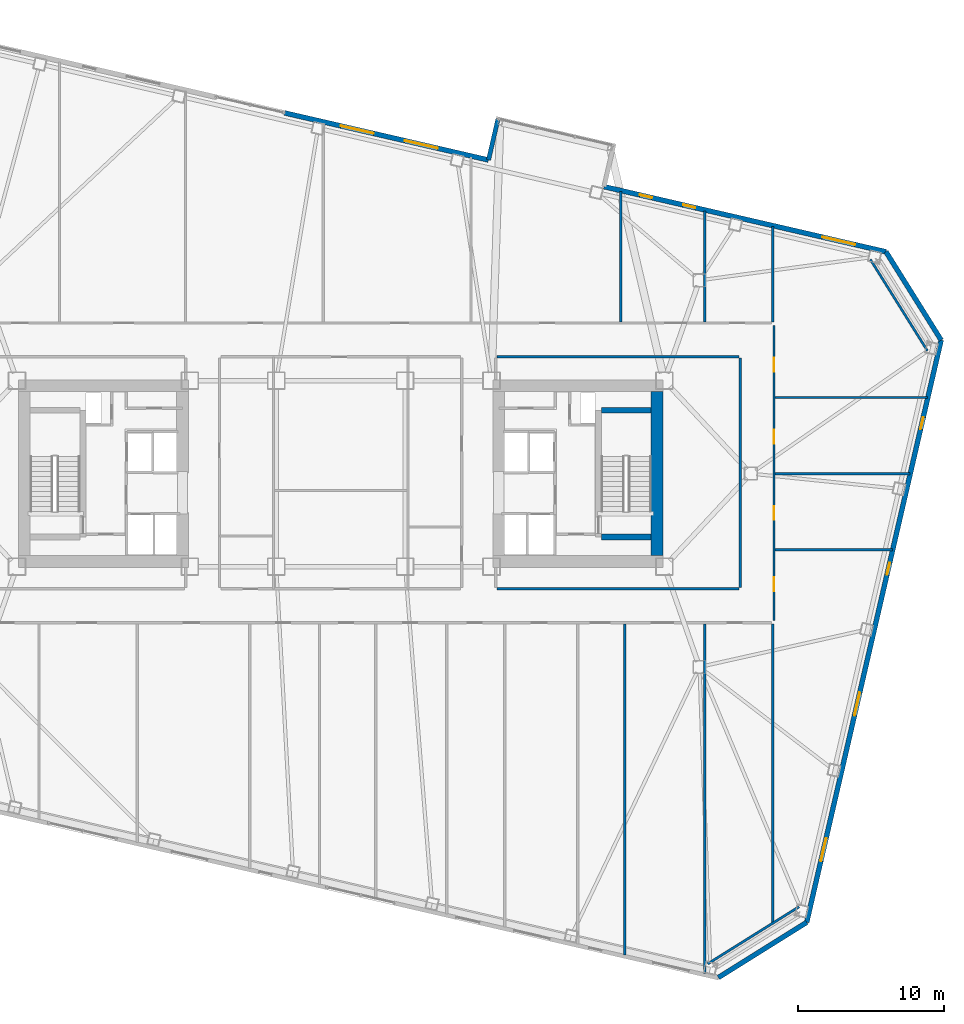
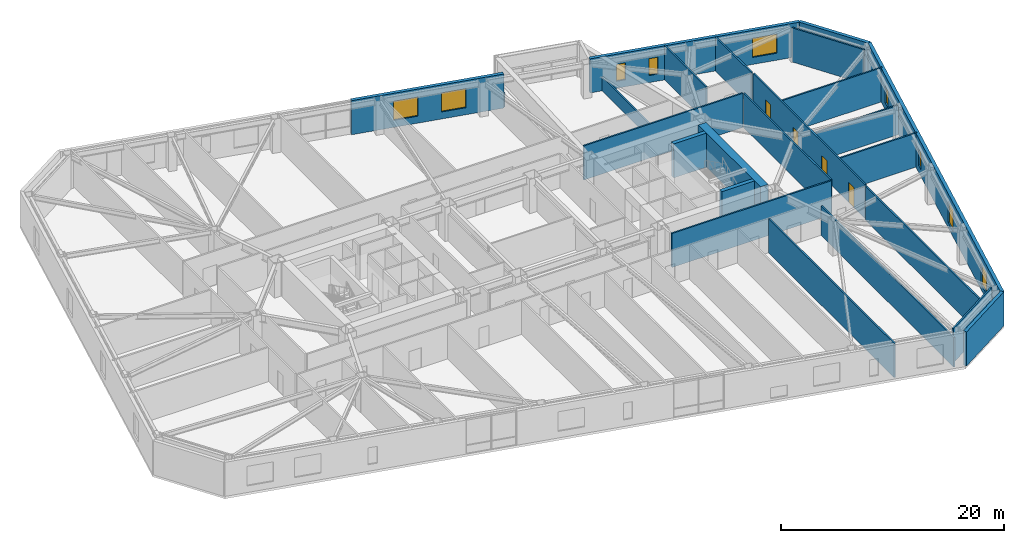
# One storey, part 17 of 23: 24 walls, 9 windows, 4 doors, 13 openings.
"""IFC4 building model written with IfcOpenShell, lengths in metres."""

from ifc_helpers import new_model, si_unit, direction, frame, frame_2d, origin, place, context, subcontext, project, spatial, rectangle, extrude, material, layer, layer_set, type_object, element, fill, save


model = new_model("IFC4")

# Units and contexts
model_context = context("Model", 3, precision=1e-05, world=origin(), true_north=direction((0.0, 1.0)))
body_context = subcontext(model_context, "Body", "Model", "MODEL_VIEW")
ifc_project = project(units=[si_unit("LENGTHUNIT", "METRE"), si_unit("AREAUNIT", "SQUARE_METRE"), si_unit("VOLUMEUNIT", "CUBIC_METRE"), si_unit("PLANEANGLEUNIT", "RADIAN"), si_unit("MASSUNIT", "GRAM", prefix="KILO")], contexts=[model_context])

# Site, building, storey
site_placement = place(None, origin())
site = spatial("IfcSite", under=ifc_project, at=site_placement, CompositionType="ELEMENT")
building_placement = place(site_placement, origin())
building = spatial("IfcBuilding", under=site, at=building_placement, Name="Tavrogorsk Clinical Tower", CompositionType="ELEMENT")
storey_placement = place(building_placement, frame((0.0, 0.0, 63.39990234375)))
storey = spatial("IfcBuildingStorey", under=building, at=storey_placement, Name="L13", CompositionType="ELEMENT", Elevation=63.39990234375)

# Walls
ifc_material_1 = material(Name="Lightweight concrete blockwork B15", Category="masonry")
ifc_layer_1 = layer(ifc_material_1, 0.159912109375)
ifc_layer_set_1 = layer_set([ifc_layer_1], Name="Lightweight concrete blockwork B15")
wall_type_1 = type_object("IfcWallType", Name="PartitionWall_160", PredefinedType="PARTITIONING", material=ifc_layer_set_1)
for number, where, z_axis, x_axis, name in (
    (1, (25.0595703125, -33.46826171875, 0.0), (0.0, 0.0, 1.0), (0.848043064089, 0.529927317139, 0.0), "L13 Corner Exoskeleton Brace Furring Wall 1"),
    (2, (40.059814453125, 8.389404296875, 0.0), (0.0, 0.0, 1.0), (-0.529927317139, 0.848043064089, 0.0), "L13 Corner Exoskeleton Brace Furring Wall 2"),
):
    element("IfcWall", number, at=place(storey_placement, frame(where, z_axis=z_axis, x_axis=x_axis)), inside=storey, type_object=wall_type_1, Name=name, PredefinedType="PARTITIONING", context=body_context, shape_type="SweptSolid", body=[
        extrude(rectangle(XDim=7.353759765625, YDim=0.159912109375, at=frame_2d((3.6767578125, 0.0))), origin(), (0.0, 0.0, 1.0), 3.739990234375),
    ])

# Wall, openings, doors
wall_1_placement = place(storey_placement, frame((29.580078125, 10.114990234375, 0.0), z_axis=(0.0, 0.0, 1.0), x_axis=(0.0, -1.0, 0.0)))
wall_1 = element("IfcWall", 3, at=wall_1_placement, inside=storey, type_object=wall_type_1, Name="L13 Corridor Partition 03", PredefinedType="PARTITIONING", context=body_context, shape_type="SweptSolid", body=[
    extrude(rectangle(XDim=20.1298828125, YDim=0.159912109375, at=frame_2d((10.06494140625, 0.0))), origin(), (0.0, 0.0, 1.0), 3.739990234375),
])
opening_1_placement = place(wall_1_placement, frame((17.180908203125, 0.0, 0.0)))
opening_1 = element("IfcOpeningElement", 4, at=opening_1_placement, cuts=wall_1, Name="Opening ID-02", PredefinedType="OPENING", context=body_context, shape_type="SweptSolid", body=[
    extrude(rectangle(XDim=0.949951171875, YDim=2.199951171875, at=frame_2d((0.47509765625, 1.10009765625))), frame((0.0, 0.08984375, 0.0), z_axis=(0.0, -1.0, 0.0), x_axis=(1.0, 0.0, 0.0)), (0.0, 0.0, 1.0), 0.179931640625),
])
opening_2_placement = place(wall_1_placement, frame((12.324951171875, 0.0, 0.0)))
opening_2 = element("IfcOpeningElement", 5, at=opening_2_placement, cuts=wall_1, Name="Opening ID-02", PredefinedType="OPENING", context=body_context, shape_type="SweptSolid", body=[
    extrude(rectangle(XDim=0.949951171875, YDim=2.199951171875, at=frame_2d((0.47509765625, 1.10009765625))), frame((0.0, 0.08984375, 0.0), z_axis=(0.0, -1.0, 0.0), x_axis=(1.0, 0.0, 0.0)), (0.0, 0.0, 1.0), 0.179931640625),
])
opening_3_placement = place(wall_1_placement, frame((7.125, 0.0, 0.0)))
opening_3 = element("IfcOpeningElement", 6, at=opening_3_placement, cuts=wall_1, Name="Opening ID-02", PredefinedType="OPENING", context=body_context, shape_type="SweptSolid", body=[
    extrude(rectangle(XDim=0.949951171875, YDim=2.199951171875, at=frame_2d((0.47509765625, 1.10009765625))), frame((0.0, 0.08984375, 0.0), z_axis=(0.0, -1.0, 0.0), x_axis=(1.0, 0.0, 0.0)), (0.0, 0.0, 1.0), 0.179931640625),
])
opening_4_placement = place(wall_1_placement, frame((2.218994140625, 0.0, 0.0)))
opening_4 = element("IfcOpeningElement", 7, at=opening_4_placement, cuts=wall_1, Name="Opening ID-02", PredefinedType="OPENING", context=body_context, shape_type="SweptSolid", body=[
    extrude(rectangle(XDim=0.949951171875, YDim=2.199951171875, at=frame_2d((0.47509765625, 1.10009765625))), frame((0.0, 0.08984375, 0.0), z_axis=(0.0, -1.0, 0.0), x_axis=(1.0, 0.0, 0.0)), (0.0, 0.0, 1.0), 0.179931640625),
])
ifc_material_2 = material(Name="Laminated timber leaf on aluminium frame", Category="wood")
door_type = type_object("IfcDoorType", Name="InteriorDoor_ID02_950", OperationType="NOTDEFINED", PredefinedType="DOOR", material=ifc_material_2)
door_1_placement = place(opening_1_placement, origin())
door_1 = element("IfcDoor", 8, at=door_1_placement, inside=storey, type_object=door_type, Name="L13 E Senior Clinician Suite 1 Door", OperationType="SINGLE_SWING_LEFT", OverallHeight=2.199951171875, OverallWidth=0.949951171875, PredefinedType="DOOR", context=body_context, shape_type="SweptSolid", body=[
    extrude(rectangle(XDim=0.949951171875, YDim=2.199951171875, at=frame_2d((0.47509765625, 1.10009765625))), frame((0.0, 0.02490234375, 0.0), z_axis=(0.0, -1.0, 0.0), x_axis=(1.0, 0.0, 0.0)), (0.0, 0.0, 1.0), 0.050048828125),
])
fill(opening_1, door_1)
door_2_placement = place(opening_2_placement, origin())
door_2 = element("IfcDoor", 9, at=door_2_placement, inside=storey, type_object=door_type, Name="L13 E Multidisciplinary Seminar Suite 2 Door", OperationType="SINGLE_SWING_RIGHT", OverallHeight=2.199951171875, OverallWidth=0.949951171875, PredefinedType="DOOR", context=body_context, shape_type="SweptSolid", body=[
    extrude(rectangle(XDim=0.949951171875, YDim=2.199951171875, at=frame_2d((0.47509765625, 1.10009765625))), frame((0.0, 0.02490234375, 0.0), z_axis=(0.0, -1.0, 0.0), x_axis=(1.0, 0.0, 0.0)), (0.0, 0.0, 1.0), 0.050048828125),
])
fill(opening_2, door_2)
door_3_placement = place(opening_3_placement, origin())
door_3 = element("IfcDoor", 10, at=door_3_placement, inside=storey, type_object=door_type, Name="L13 E Specialist Consultation Room 3 Door", OperationType="SINGLE_SWING_LEFT", OverallHeight=2.199951171875, OverallWidth=0.949951171875, PredefinedType="DOOR", context=body_context, shape_type="SweptSolid", body=[
    extrude(rectangle(XDim=0.949951171875, YDim=2.199951171875, at=frame_2d((0.47509765625, 1.10009765625))), frame((0.0, 0.02490234375, 0.0), z_axis=(0.0, -1.0, 0.0), x_axis=(1.0, 0.0, 0.0)), (0.0, 0.0, 1.0), 0.050048828125),
])
fill(opening_3, door_3)
door_4_placement = place(opening_4_placement, origin())
door_4 = element("IfcDoor", 11, at=door_4_placement, inside=storey, type_object=door_type, Name="L13 E Clinical Fellows' Study 4 Door", OperationType="SINGLE_SWING_RIGHT", OverallHeight=2.199951171875, OverallWidth=0.949951171875, PredefinedType="DOOR", context=body_context, shape_type="SweptSolid", body=[
    extrude(rectangle(XDim=0.949951171875, YDim=2.199951171875, at=frame_2d((0.47509765625, 1.10009765625))), frame((0.0, 0.02490234375, 0.0), z_axis=(0.0, -1.0, 0.0), x_axis=(1.0, 0.0, 0.0)), (0.0, 0.0, 1.0), 0.050048828125),
])
fill(opening_4, door_4)

# Walls
for number, where, z_axis, x_axis, name in (
    (12, (27.18505859375, 7.969970703125, 0.0), (0.0, 0.0, 1.0), (-1.0, 0.0, 0.0), "L13 Corridor Partition 05"),
    (13, (10.6650390625, -7.8701171875, 0.0), (0.0, 0.0, 1.0), (1.0, 0.0, 0.0), "L13 Corridor Partition 08"),
):
    element("IfcWall", number, at=place(storey_placement, frame(where, z_axis=z_axis, x_axis=x_axis)), inside=storey, type_object=wall_type_1, Name=name, PredefinedType="PARTITIONING", context=body_context, shape_type="SweptSolid", body=[
        extrude(rectangle(XDim=16.52001953125, YDim=0.159912109375, at=frame_2d((8.260009765625, 0.0))), origin(), (0.0, 0.0, 1.0), 3.739990234375),
    ])
wall_2_placement = place(storey_placement, frame((27.27001953125, -7.784912109375, 0.0), z_axis=(0.0, 0.0, 1.0), x_axis=(0.0, 1.0, 0.0)))
element("IfcWall", 14, at=wall_2_placement, inside=storey, type_object=wall_type_1, Name="L13 Corridor Partition 09", PredefinedType="PARTITIONING", context=body_context, shape_type="SweptSolid", body=[
    extrude(rectangle(XDim=15.669921875, YDim=0.159912109375, at=frame_2d((7.8349609375, 0.0))), origin(), (0.0, 0.0, 1.0), 3.739990234375),
])
wall_3_placement = place(storey_placement, frame((29.5, 10.364990234375, 0.0), z_axis=(0.0, 0.0, 1.0), x_axis=(0.0, 1.0, 0.0)))
element("IfcWall", 15, at=wall_3_placement, inside=storey, type_object=wall_type_1, Name="L13 NE Wing Closure Partition", PredefinedType="PARTITIONING", context=body_context, shape_type="SweptSolid", body=[
    extrude(rectangle(XDim=6.497314453125, YDim=0.159912109375, at=frame_2d((3.24853515625, 0.0))), origin(), (0.0, 0.0, 1.0), 3.739990234375),
])
wall_4_placement = place(storey_placement, frame((29.5, -30.702880859375, 0.0), z_axis=(0.0, 0.0, 1.0), x_axis=(0.0, 1.0, 0.0)))
element("IfcWall", 16, at=wall_4_placement, inside=storey, type_object=wall_type_1, Name="L13 SE Wing Closure Partition", PredefinedType="PARTITIONING", context=body_context, shape_type="SweptSolid", body=[
    extrude(rectangle(XDim=20.43798828125, YDim=0.159912109375, at=frame_2d((10.218994140625, 0.0))), origin(), (0.0, 0.0, 1.0), 3.739990234375),
])
wall_5_placement = place(storey_placement, frame((19.126953125, 10.364990234375, 0.0), z_axis=(0.0, 0.0, 1.0), x_axis=(0.0, 1.0, 0.0)))
element("IfcWall", 17, at=wall_5_placement, inside=storey, type_object=wall_type_1, Name="L13 North Room Partition 6", PredefinedType="PARTITIONING", context=body_context, shape_type="SweptSolid", body=[
    extrude(rectangle(XDim=8.89208984375, YDim=0.159912109375, at=frame_2d((4.446044921875, 0.0))), origin(), (0.0, 0.0, 1.0), 1.53515625),
])
wall_6_placement = place(storey_placement, frame((24.85009765625, 10.364990234375, 0.0), z_axis=(0.0, 0.0, 1.0), x_axis=(0.0, 1.0, 0.0)))
element("IfcWall", 18, at=wall_6_placement, inside=storey, type_object=wall_type_1, Name="L13 North Room Partition 7", PredefinedType="PARTITIONING", context=body_context, shape_type="SweptSolid", body=[
    extrude(rectangle(XDim=7.57080078125, YDim=0.159912109375, at=frame_2d((3.785400390625, 0.0))), origin(), (0.0, 0.0, 1.0), 3.739990234375),
])
wall_7_placement = place(storey_placement, frame((19.39990234375, -32.860107421875, 0.0), z_axis=(0.0, 0.0, 1.0), x_axis=(0.0, 1.0, 0.0)))
element("IfcWall", 19, at=wall_7_placement, inside=storey, type_object=wall_type_1, Name="L13 South Room Partition 7", PredefinedType="PARTITIONING", context=body_context, shape_type="SweptSolid", body=[
    extrude(rectangle(XDim=22.59521484375, YDim=0.159912109375, at=frame_2d((11.297607421875, 0.0))), origin(), (0.0, 0.0, 1.0), 3.739990234375),
])
wall_8_placement = place(storey_placement, frame((24.85009765625, -34.1181640625, 0.0), z_axis=(0.0, 0.0, 1.0), x_axis=(0.0, 1.0, 0.0)))
element("IfcWall", 20, at=wall_8_placement, inside=storey, type_object=wall_type_1, Name="L13 South Room Partition 8", PredefinedType="PARTITIONING", context=body_context, shape_type="SweptSolid", body=[
    extrude(rectangle(XDim=23.853271484375, YDim=0.159912109375, at=frame_2d((11.9267578125, 0.0))), origin(), (0.0, 0.0, 1.0), 3.235107421875),
])
wall_9_placement = place(storey_placement, frame((29.6650390625, -5.199951171875, 0.0), z_axis=(0.0, 0.0, 1.0), x_axis=(1.0, 0.0, 0.0)))
element("IfcWall", 21, at=wall_9_placement, inside=storey, type_object=wall_type_1, Name="L13 E Wing Divider 1", PredefinedType="PARTITIONING", context=body_context, shape_type="SweptSolid", body=[
    extrude(rectangle(XDim=8.007080078125, YDim=0.159912109375, at=frame_2d((4.00341796875, 0.0))), origin(), (0.0, 0.0, 1.0), 3.739990234375),
])
wall_10_placement = place(storey_placement, frame((29.6650390625, 0.0, 0.0), z_axis=(0.0, 0.0, 1.0), x_axis=(1.0, 0.0, 0.0)))
element("IfcWall", 22, at=wall_10_placement, inside=storey, type_object=wall_type_1, Name="L13 E Wing Divider 2", PredefinedType="PARTITIONING", context=body_context, shape_type="SweptSolid", body=[
    extrude(rectangle(XDim=9.207763671875, YDim=0.159912109375, at=frame_2d((4.60400390625, 0.0))), origin(), (0.0, 0.0, 1.0), 3.235107421875),
])
wall_11_placement = place(storey_placement, frame((29.6650390625, 5.199951171875, 0.0), z_axis=(0.0, 0.0, 1.0), x_axis=(1.0, 0.0, 0.0)))
element("IfcWall", 23, at=wall_11_placement, inside=storey, type_object=wall_type_1, Name="L13 E Wing Divider 3", PredefinedType="PARTITIONING", context=body_context, shape_type="SweptSolid", body=[
    extrude(rectangle(XDim=10.408203125, YDim=0.159912109375, at=frame_2d((5.2041015625, 0.0))), origin(), (0.0, 0.0, 1.0), 3.739990234375),
])

# Wall, openings, windows
ifc_material_3 = material(Name="Precast concrete B45 with limestone cladding", Category="masonry")
ifc_layer_2 = layer(ifc_material_3, 0.340087890625)
ifc_layer_set_2 = layer_set([ifc_layer_2], Name="Precast concrete B45 with limestone cladding")
wall_type_2 = type_object("IfcWallType", Name="PrecastLimestoneWall_340", PredefinedType="STANDARD", material=ifc_layer_set_2)
wall_12_placement = place(storey_placement, frame((37.228515625, 15.14990234375, 0.0), z_axis=(0.0, 0.0, 1.0), x_axis=(-0.974368689865, 0.224957009695, 0.0)))
wall_12 = element("IfcWall", 24, at=wall_12_placement, inside=storey, type_object=wall_type_2, Name="L13 N Limestone Facade Wall 1", PredefinedType="STANDARD", context=body_context, shape_type="SweptSolid", body=[
    extrude(rectangle(XDim=19.749755859375, YDim=0.340087890625, at=frame_2d((9.875, 0.0))), origin(), (0.0, 0.0, 1.0), 3.739990234375),
])
opening_5_placement = place(wall_12_placement, frame((16.39501953125, 0.0, 0.77001953125)))
opening_5 = element("IfcOpeningElement", 25, at=opening_5_placement, cuts=wall_12, Name="Opening WN-06", PredefinedType="OPENING", context=body_context, shape_type="SweptSolid", body=[
    extrude(rectangle(XDim=0.85009765625, YDim=1.85009765625, at=frame_2d((0.425048828125, 0.925048828125))), frame((0.0, 0.179931640625, 0.0), z_axis=(0.0, -1.0, 0.0), x_axis=(1.0, 0.0, 0.0)), (0.0, 0.0, 1.0), 0.360107421875),
])
opening_6_placement = place(wall_12_placement, frame((13.360595703125, 0.0, 0.77001953125)))
opening_6 = element("IfcOpeningElement", 26, at=opening_6_placement, cuts=wall_12, Name="Opening WN-06", PredefinedType="OPENING", context=body_context, shape_type="SweptSolid", body=[
    extrude(rectangle(XDim=0.85009765625, YDim=1.85009765625, at=frame_2d((0.425048828125, 0.925048828125))), frame((0.0, 0.179931640625, 0.0), z_axis=(0.0, -1.0, 0.0), x_axis=(1.0, 0.0, 0.0)), (0.0, 0.0, 1.0), 0.360107421875),
])
opening_7_placement = place(wall_12_placement, frame((2.162109375, 0.0, 0.77001953125)))
opening_7 = element("IfcOpeningElement", 27, at=opening_7_placement, cuts=wall_12, Name="Opening WN-12", PredefinedType="OPENING", context=body_context, shape_type="SweptSolid", body=[
    extrude(rectangle(XDim=2.300048828125, YDim=2.10009765625, at=frame_2d((1.14990234375, 1.050048828125))), frame((0.0, 0.179931640625, 0.0), z_axis=(0.0, -1.0, 0.0), x_axis=(1.0, 0.0, 0.0)), (0.0, 0.0, 1.0), 0.360107421875),
])
ifc_material_4 = material(Name="Thermally broken aluminium frame and triple IGU", Category="aluminium")
window_type_1 = type_object("IfcWindowType", Name="MullionSubWin_850x1850", PartitioningType="SINGLE_PANEL", PredefinedType="WINDOW", material=ifc_material_4)
window_1_placement = place(opening_5_placement, origin())
window_1 = element("IfcWindow", 28, at=window_1_placement, inside=storey, type_object=window_type_1, Name="L13 N Mullion Split Window 07A", OverallHeight=1.85009765625, OverallWidth=0.85009765625, PartitioningType="SINGLE_PANEL", PredefinedType="WINDOW", context=body_context, shape_type="SweptSolid", body=[
    extrude(rectangle(XDim=0.85009765625, YDim=1.85009765625, at=frame_2d((0.425048828125, 0.925048828125))), frame((0.0, 0.030029296875, 0.0), z_axis=(0.0, -1.0, 0.0), x_axis=(1.0, 0.0, 0.0)), (0.0, 0.0, 1.0), 0.06005859375),
])
fill(opening_5, window_1)
window_2_placement = place(opening_6_placement, origin())
window_2 = element("IfcWindow", 29, at=window_2_placement, inside=storey, type_object=window_type_1, Name="L13 N Mullion Split Window 08B", OverallHeight=1.85009765625, OverallWidth=0.85009765625, PartitioningType="SINGLE_PANEL", PredefinedType="WINDOW", context=body_context, shape_type="SweptSolid", body=[
    extrude(rectangle(XDim=0.85009765625, YDim=1.85009765625, at=frame_2d((0.425048828125, 0.925048828125))), frame((0.0, 0.030029296875, 0.0), z_axis=(0.0, -1.0, 0.0), x_axis=(1.0, 0.0, 0.0)), (0.0, 0.0, 1.0), 0.06005859375),
])
fill(opening_6, window_2)
ifc_material_5 = material(Name="Thermally broken aluminium frame and triple IGU", Category="aluminium")
window_type_2 = type_object("IfcWindowType", Name="RecoveryWin_2300x2100", PartitioningType="DOUBLE_PANEL_VERTICAL", PredefinedType="WINDOW", material=ifc_material_5)
window_3_placement = place(opening_7_placement, origin())
window_3 = element("IfcWindow", 30, at=window_3_placement, inside=storey, type_object=window_type_2, Name="L13 N Chicago Window 10", OverallHeight=2.10009765625, OverallWidth=2.300048828125, PartitioningType="SINGLE_PANEL", PredefinedType="WINDOW", context=body_context, shape_type="SweptSolid", body=[
    extrude(rectangle(XDim=2.300048828125, YDim=2.10009765625, at=frame_2d((1.14990234375, 1.050048828125))), frame((0.0, 0.030029296875, 0.0), z_axis=(0.0, -1.0, 0.0), x_axis=(1.0, 0.0, 0.0)), (0.0, 0.0, 1.0), 0.06005859375),
])
fill(opening_7, window_3)

wall_13_placement = place(storey_placement, frame((10.09228515625, 21.414794921875, 0.0), z_axis=(0.0, 0.0, 1.0), x_axis=(-0.97436816851, 0.224959267855, 0.0)))
wall_13 = element("IfcWall", 31, at=wall_13_placement, inside=storey, type_object=wall_type_2, Name="L13 N Limestone Facade Wall 2", PredefinedType="STANDARD", context=body_context, shape_type="SweptSolid", body=[
    extrude(rectangle(XDim=14.29833984375, YDim=0.340087890625, at=frame_2d((7.149169921875, 0.0))), origin(), (0.0, 0.0, 1.0), 3.739990234375),
])
opening_8_placement = place(wall_13_placement, frame((8.042236328125, 0.0, 0.77001953125)))
opening_8 = element("IfcOpeningElement", 32, at=opening_8_placement, cuts=wall_13, Name="Opening WN-12", PredefinedType="OPENING", context=body_context, shape_type="SweptSolid", body=[
    extrude(rectangle(XDim=2.300048828125, YDim=2.10009765625, at=frame_2d((1.14990234375, 1.050048828125))), frame((0.0, 0.179931640625, 0.0), z_axis=(0.0, -1.0, 0.0), x_axis=(1.0, 0.0, 0.0)), (0.0, 0.0, 1.0), 0.360107421875),
])
opening_9_placement = place(wall_13_placement, frame((3.557861328125, 0.0, 0.77001953125)))
opening_9 = element("IfcOpeningElement", 33, at=opening_9_placement, cuts=wall_13, Name="Opening WN-12", PredefinedType="OPENING", context=body_context, shape_type="SweptSolid", body=[
    extrude(rectangle(XDim=2.300048828125, YDim=2.10009765625, at=frame_2d((1.14990234375, 1.050048828125))), frame((0.0, 0.179931640625, 0.0), z_axis=(0.0, -1.0, 0.0), x_axis=(1.0, 0.0, 0.0)), (0.0, 0.0, 1.0), 0.360107421875),
])
window_4_placement = place(opening_8_placement, origin())
window_4 = element("IfcWindow", 34, at=window_4_placement, inside=storey, type_object=window_type_2, Name="L13 N Chicago Window 05", OverallHeight=2.10009765625, OverallWidth=2.300048828125, PartitioningType="SINGLE_PANEL", PredefinedType="WINDOW", context=body_context, shape_type="SweptSolid", body=[
    extrude(rectangle(XDim=2.300048828125, YDim=2.10009765625, at=frame_2d((1.14990234375, 1.050048828125))), frame((0.0, 0.030029296875, 0.0), z_axis=(0.0, -1.0, 0.0), x_axis=(1.0, 0.0, 0.0)), (0.0, 0.0, 1.0), 0.06005859375),
])
fill(opening_8, window_4)
window_5_placement = place(opening_9_placement, origin())
window_5 = element("IfcWindow", 35, at=window_5_placement, inside=storey, type_object=window_type_2, Name="L13 N Chicago Window 06", OverallHeight=2.10009765625, OverallWidth=2.300048828125, PartitioningType="SINGLE_PANEL", PredefinedType="WINDOW", context=body_context, shape_type="SweptSolid", body=[
    extrude(rectangle(XDim=2.300048828125, YDim=2.10009765625, at=frame_2d((1.14990234375, 1.050048828125))), frame((0.0, 0.030029296875, 0.0), z_axis=(0.0, -1.0, 0.0), x_axis=(1.0, 0.0, 0.0)), (0.0, 0.0, 1.0), 0.06005859375),
])
fill(opening_9, window_5)

wall_14_placement = place(storey_placement, frame((31.820068359375, -30.636962890625, 0.0), z_axis=(0.0, 0.0, 1.0), x_axis=(0.224949969076, 0.974370315338, 0.0)))
wall_14 = element("IfcWall", 36, at=wall_14_placement, inside=storey, type_object=wall_type_2, Name="L13 E Pleated Limestone Wing Wall", PredefinedType="STANDARD", context=body_context, shape_type="SweptSolid", body=[
    extrude(rectangle(XDim=40.800048828125, YDim=0.340087890625, at=frame_2d((20.39990234375, 0.0))), origin(), (0.0, 0.0, 1.0), 3.739990234375),
])
opening_10_placement = place(wall_14_placement, frame((4.300048828125, 0.0, 0.580078125)))
opening_10 = element("IfcOpeningElement", 37, at=opening_10_placement, cuts=wall_14, Name="Opening WN-07", PredefinedType="OPENING", context=body_context, shape_type="SweptSolid", body=[
    extrude(rectangle(XDim=1.60009765625, YDim=2.300048828125, at=frame_2d((0.800048828125, 1.14990234375))), frame((0.0, 0.179931640625, 0.0), z_axis=(0.0, -1.0, 0.0), x_axis=(1.0, 0.0, 0.0)), (0.0, 0.0, 1.0), 0.360107421875),
])
opening_11_placement = place(wall_14_placement, frame((14.5, 0.0, 0.580078125)))
opening_11 = element("IfcOpeningElement", 38, at=opening_11_placement, cuts=wall_14, Name="Opening WN-07", PredefinedType="OPENING", context=body_context, shape_type="SweptSolid", body=[
    extrude(rectangle(XDim=1.60009765625, YDim=2.300048828125, at=frame_2d((0.800048828125, 1.14990234375))), frame((0.0, 0.179931640625, 0.0), z_axis=(0.0, -1.0, 0.0), x_axis=(1.0, 0.0, 0.0)), (0.0, 0.0, 1.0), 0.360107421875),
])
opening_12_placement = place(wall_14_placement, frame((24.35009765625, 0.0, 0.75)))
opening_12 = element("IfcOpeningElement", 39, at=opening_12_placement, cuts=wall_14, Name="Opening WN-06", PredefinedType="OPENING", context=body_context, shape_type="SweptSolid", body=[
    extrude(rectangle(XDim=0.85009765625, YDim=1.85009765625, at=frame_2d((0.425048828125, 0.925048828125))), frame((0.0, 0.179931640625, 0.0), z_axis=(0.0, -1.0, 0.0), x_axis=(1.0, 0.0, 0.0)), (0.0, 0.0, 1.0), 0.360107421875),
])
opening_13_placement = place(wall_14_placement, frame((34.550048828125, 0.0, 0.75)))
opening_13 = element("IfcOpeningElement", 40, at=opening_13_placement, cuts=wall_14, Name="Opening WN-06", PredefinedType="OPENING", context=body_context, shape_type="SweptSolid", body=[
    extrude(rectangle(XDim=0.85009765625, YDim=1.85009765625, at=frame_2d((0.425048828125, 0.925048828125))), frame((0.0, 0.179931640625, 0.0), z_axis=(0.0, -1.0, 0.0), x_axis=(1.0, 0.0, 0.0)), (0.0, 0.0, 1.0), 0.360107421875),
])
window_6_placement = place(opening_12_placement, origin())
window_6 = element("IfcWindow", 41, at=window_6_placement, inside=storey, type_object=window_type_1, Name="L13 E Pleat Mullion Window 3A", OverallHeight=1.85009765625, OverallWidth=0.85009765625, PartitioningType="SINGLE_PANEL", PredefinedType="WINDOW", context=body_context, shape_type="SweptSolid", body=[
    extrude(rectangle(XDim=0.85009765625, YDim=1.85009765625, at=frame_2d((0.425048828125, 0.925048828125))), frame((0.0, 0.030029296875, 0.0), z_axis=(0.0, -1.0, 0.0), x_axis=(1.0, 0.0, 0.0)), (0.0, 0.0, 1.0), 0.06005859375),
])
fill(opening_12, window_6)
window_7_placement = place(opening_13_placement, origin())
window_7 = element("IfcWindow", 42, at=window_7_placement, inside=storey, type_object=window_type_1, Name="L13 E Pleat Mullion Window 4A", OverallHeight=1.85009765625, OverallWidth=0.85009765625, PartitioningType="SINGLE_PANEL", PredefinedType="WINDOW", context=body_context, shape_type="SweptSolid", body=[
    extrude(rectangle(XDim=0.85009765625, YDim=1.85009765625, at=frame_2d((0.425048828125, 0.925048828125))), frame((0.0, 0.030029296875, 0.0), z_axis=(0.0, -1.0, 0.0), x_axis=(1.0, 0.0, 0.0)), (0.0, 0.0, 1.0), 0.06005859375),
])
fill(opening_13, window_7)
ifc_material_6 = material(Name="Thermally broken aluminium frame and triple IGU", Category="aluminium")
window_type_3 = type_object("IfcWindowType", Name="PleatSlotWin_1600x2300", PartitioningType="SINGLE_PANEL", PredefinedType="WINDOW", material=ifc_material_6)
window_8_placement = place(opening_10_placement, origin())
window_8 = element("IfcWindow", 43, at=window_8_placement, inside=storey, type_object=window_type_3, Name="L13 E Pleat Slot Window 1", OverallHeight=2.300048828125, OverallWidth=1.60009765625, PartitioningType="SINGLE_PANEL", PredefinedType="WINDOW", context=body_context, shape_type="SweptSolid", body=[
    extrude(rectangle(XDim=1.60009765625, YDim=2.300048828125, at=frame_2d((0.800048828125, 1.14990234375))), frame((0.0, 0.030029296875, 0.0), z_axis=(0.0, -1.0, 0.0), x_axis=(1.0, 0.0, 0.0)), (0.0, 0.0, 1.0), 0.06005859375),
])
fill(opening_10, window_8)
window_9_placement = place(opening_11_placement, origin())
window_9 = element("IfcWindow", 44, at=window_9_placement, inside=storey, type_object=window_type_3, Name="L13 E Pleat Slot Window 2", OverallHeight=2.300048828125, OverallWidth=1.60009765625, PartitioningType="SINGLE_PANEL", PredefinedType="WINDOW", context=body_context, shape_type="SweptSolid", body=[
    extrude(rectangle(XDim=1.60009765625, YDim=2.300048828125, at=frame_2d((0.800048828125, 1.14990234375))), frame((0.0, 0.030029296875, 0.0), z_axis=(0.0, -1.0, 0.0), x_axis=(1.0, 0.0, 0.0)), (0.0, 0.0, 1.0), 0.06005859375),
])
fill(opening_11, window_9)

# Walls
for number, where, z_axis, x_axis, name in (
    (45, (25.78759765625, -34.406494140625, 0.0), (0.0, 0.0, 1.0), (0.848046504656, 0.529921811158, 0.0), "L13 Chamfered Corner Wall 1"),
    (46, (40.998046875, 9.117431640625, 0.0), (0.0, 0.0, 1.0), (-0.529921811158, 0.848046504656, 0.0), "L13 Chamfered Corner Wall 2"),
):
    element("IfcWall", number, at=place(storey_placement, frame(where, z_axis=z_axis, x_axis=x_axis)), inside=storey, type_object=wall_type_2, Name=name, PredefinedType="STANDARD", context=body_context, shape_type="SweptSolid", body=[
        extrude(rectangle(XDim=7.11328125, YDim=0.340087890625, at=frame_2d((3.556640625, 0.0))), origin(), (0.0, 0.0, 1.0), 3.739990234375),
    ])
ifc_material_7 = material(Name="Concrete B80", Category="concrete")
ifc_layer_3 = layer(ifc_material_7, 0.39990234375)
ifc_layer_set_3 = layer_set([ifc_layer_3], Name="Concrete B80")
wall_type_3 = type_object("IfcWallType", Name="ShearWall_400", PredefinedType="SHEAR", material=ifc_layer_set_3)
for number, where, z_axis, x_axis, name in (
    (47, (17.800048828125, -4.324951171875, 0.0), (0.0, 0.0, 1.0), (1.0, 0.0, 0.0), "L13 Core East Stair Shaft South Shear Wall"),
    (48, (17.800048828125, 4.324951171875, 0.0), (0.0, 0.0, 1.0), (1.0, 0.0, 0.0), "L13 Core East Stair Shaft North Shear Wall"),
):
    element("IfcWall", number, at=place(storey_placement, frame(where, z_axis=z_axis, x_axis=x_axis)), inside=storey, type_object=wall_type_3, Name=name, PredefinedType="SHEAR", context=body_context, shape_type="SweptSolid", body=[
        extrude(rectangle(XDim=3.39990234375, YDim=0.39990234375, at=frame_2d((1.699951171875, 0.0))), origin(), (0.0, 0.0, 1.0), 3.739990234375),
    ])
ifc_material_8 = material(Name="Concrete B80", Category="concrete")
ifc_layer_4 = layer(ifc_material_8, 0.800048828125)
ifc_layer_set_4 = layer_set([ifc_layer_4], Name="Concrete B80")
wall_type_4 = type_object("IfcWallType", Name="ShearWall_800", PredefinedType="SHEAR", material=ifc_layer_set_4)
wall_15_placement = place(storey_placement, frame((21.60009765625, -5.60009765625, 0.0), z_axis=(0.0, 0.0, 1.0), x_axis=(0.0, 1.0, 0.0)))
element("IfcWall", 49, at=wall_15_placement, inside=storey, type_object=wall_type_4, Name="L13 Core East End Shear Wall", PredefinedType="SHEAR", context=body_context, shape_type="SweptSolid", body=[
    extrude(rectangle(XDim=11.2001953125, YDim=0.800048828125, at=frame_2d((5.60009765625, 0.0))), origin(), (0.0, 0.0, 1.0), 3.739990234375),
])
ifc_material_9 = material(Name="Precast concrete B45 with mineral wool", Category="concrete")
ifc_layer_5 = layer(ifc_material_9, 0.300048828125)
ifc_layer_set_5 = layer_set([ifc_layer_5], Name="Precast concrete B45 with mineral wool")
wall_type_5 = type_object("IfcWallType", Name="SpandrelBackWall_300", PredefinedType="STANDARD", material=ifc_layer_set_5)
wall_16_placement = place(storey_placement, frame((10.09228515625, 21.414794921875, 0.0), z_axis=(0.0, 0.0, 1.0), x_axis=(0.225002397841, 0.97435820978, 0.0)))
element("IfcWall", 50, at=wall_16_placement, inside=storey, type_object=wall_type_5, Name="L13 Day-Room Cheek Wall DRB-02-L", PredefinedType="STANDARD", context=body_context, shape_type="SweptSolid", body=[
    extrude(rectangle(XDim=2.869873046875, YDim=0.300048828125, at=frame_2d((1.43505859375, 0.0))), origin(), (0.0, 0.0, 1.0), 1.53515625),
])

save(model, "model.ifc")
